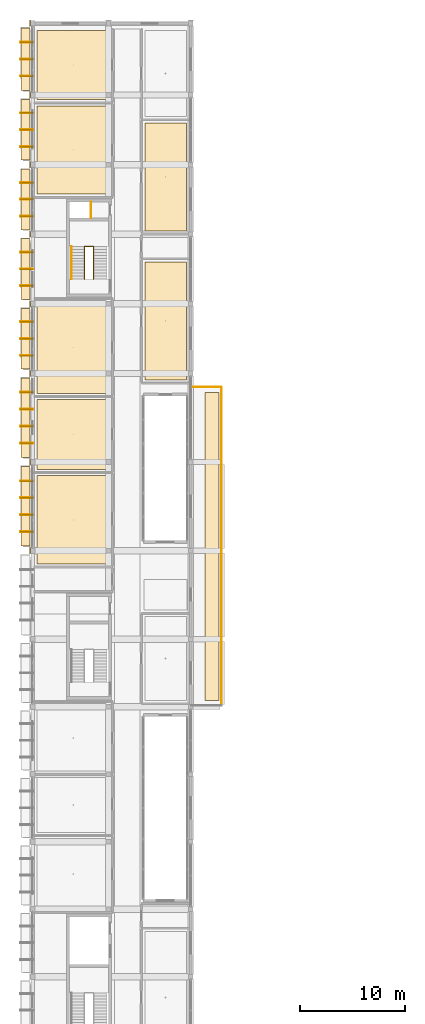
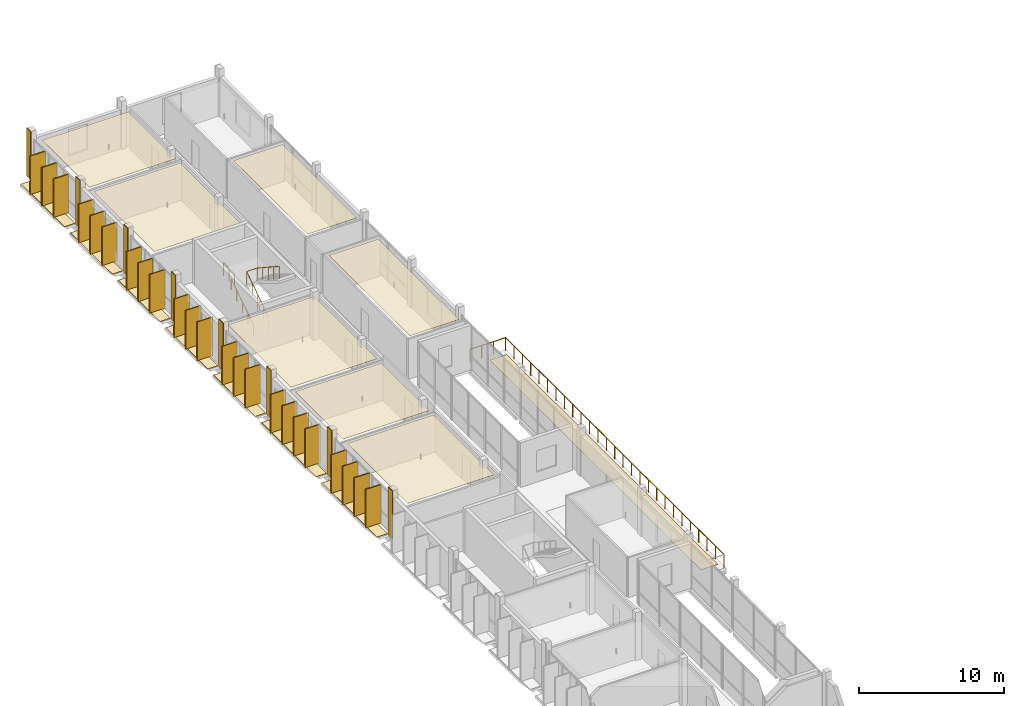
# One storey, part 43 of 48: 46 coverings, 23 shading devices, 5 railings.
"""IFC4 building model written with IfcOpenShell, lengths in metres."""

from ifc_helpers import new_model, si_unit, derived_unit, direction, frame, origin, origin_2d, place, context, subcontext, project, spatial, polyline, rectangle, circle, outline, extrude, material, layer, layer_set, type_object, element, save


model = new_model("IFC4")

# Units and contexts
model_context = context("Model", 3, precision=1e-05, world=origin(), true_north=direction((0.0, 1.0)))
body_context = subcontext(model_context, "Body", "Model", "MODEL_VIEW")
ifc_project = project(units=[si_unit("LENGTHUNIT", "METRE"), si_unit("AREAUNIT", "SQUARE_METRE"), si_unit("VOLUMEUNIT", "CUBIC_METRE"), si_unit("PLANEANGLEUNIT", "RADIAN"), si_unit("MASSUNIT", "GRAM", prefix="KILO"), derived_unit("THERMALTRANSMITTANCEUNIT", [(si_unit("POWERUNIT", "WATT"), 1), (si_unit("LENGTHUNIT", "METRE"), -2), (si_unit("THERMODYNAMICTEMPERATUREUNIT", "KELVIN"), -1)])], contexts=[model_context])

# Site, building, storey
site_placement = place(None, origin())
site = spatial("IfcSite", under=ifc_project, at=site_placement, CompositionType="ELEMENT")
building_placement = place(site_placement, origin())
building = spatial("IfcBuilding", under=site, at=building_placement, Name="Braskholm Square Health Centre", CompositionType="ELEMENT")
storey_placement = place(building_placement, frame((0.0, 0.0, 17.550048828125)))
storey = spatial("IfcBuildingStorey", under=building, at=storey_placement, Name="L05", CompositionType="ELEMENT", Elevation=17.550048828125)

# Coverings
ifc_material_1 = material(Name="Fire-rated gypsum board barrier")
ifc_layer_1 = layer(ifc_material_1, 0.02490234375)
ifc_layer_set_1 = layer_set([ifc_layer_1], Name="Fire-rated gypsum board barrier")
covering_type_1 = type_object("IfcCoveringType", Name="AcousticClinicalCeilingTile", PredefinedType="CEILING", material=ifc_layer_set_1)
covering_1_placement = place(storey_placement, frame((0.0, 0.0, 3.3349609375)))
element("IfcCovering", 1, at=covering_1_placement, inside=storey, type_object=covering_type_1, Name="Acoustic ceiling L05-127", PredefinedType="CEILING", context=body_context, shape_type="SweptSolid", body=[
    extrude(outline(polyline([(4.6201171875, 62.550048828125), (11.5, 62.550048828125), (11.5, 70.89990234375), (4.6201171875, 70.89990234375), (4.6201171875, 62.550048828125)])), origin(), (0.0, 0.0, 1.0), 0.02490234375),
])
covering_2_placement = place(storey_placement, frame((0.0, 0.0, 3.3349609375)))
element("IfcCovering", 2, at=covering_2_placement, inside=storey, type_object=covering_type_1, Name="Acoustic ceiling L05-128", PredefinedType="CEILING", context=body_context, shape_type="SweptSolid", body=[
    extrude(outline(polyline([(4.6201171875, 71.5), (11.5, 71.5), (11.5, 78.110107421875), (4.6201171875, 78.110107421875), (4.6201171875, 71.5)])), origin(), (0.0, 0.0, 1.0), 0.02490234375),
])
covering_3_placement = place(storey_placement, frame((0.0, 0.0, 3.3349609375)))
element("IfcCovering", 3, at=covering_3_placement, inside=storey, type_object=covering_type_1, Name="Acoustic ceiling L05-129", PredefinedType="CEILING", context=body_context, shape_type="SweptSolid", body=[
    extrude(outline(polyline([(4.6201171875, 78.7099609375), (11.5, 78.7099609375), (11.5, 87.39990234375), (4.6201171875, 87.39990234375), (4.6201171875, 78.7099609375)])), origin(), (0.0, 0.0, 1.0), 0.02490234375),
])
covering_4_placement = place(storey_placement, frame((0.0, 0.0, 3.3349609375)))
element("IfcCovering", 4, at=covering_4_placement, inside=storey, type_object=covering_type_1, Name="Acoustic ceiling L05-130", PredefinedType="CEILING", context=body_context, shape_type="SweptSolid", body=[
    extrude(outline(polyline([(4.6201171875, 97.60009765625), (11.5, 97.60009765625), (11.5, 105.9599609375), (4.6201171875, 105.9599609375), (4.6201171875, 97.60009765625)])), origin(), (0.0, 0.0, 1.0), 0.02490234375),
])
covering_5_placement = place(storey_placement, frame((0.0, 0.0, 3.3349609375)))
element("IfcCovering", 5, at=covering_5_placement, inside=storey, type_object=covering_type_1, Name="Acoustic ceiling L05-131", PredefinedType="CEILING", context=body_context, shape_type="SweptSolid", body=[
    extrude(outline(polyline([(4.6201171875, 106.56005859375), (11.5, 106.56005859375), (11.5, 113.10009765625), (4.6201171875, 113.10009765625), (4.6201171875, 106.56005859375)])), origin(), (0.0, 0.0, 1.0), 0.02490234375),
])
covering_6_placement = place(storey_placement, frame((0.0, 0.0, 3.3349609375)))
element("IfcCovering", 6, at=covering_6_placement, inside=storey, type_object=covering_type_1, Name="Acoustic ceiling L05-137", PredefinedType="CEILING", context=body_context, shape_type="SweptSolid", body=[
    extrude(outline(polyline([(14.85009765625, 79.97998046875), (18.780029296875, 79.97998046875), (18.780029296875, 91.169921875), (14.85009765625, 91.169921875), (14.85009765625, 79.97998046875)])), origin(), (0.0, 0.0, 1.0), 0.02490234375),
])
covering_7_placement = place(storey_placement, frame((0.0, 0.0, 3.3349609375)))
element("IfcCovering", 7, at=covering_7_placement, inside=storey, type_object=covering_type_1, Name="Acoustic ceiling L05-139", PredefinedType="CEILING", context=body_context, shape_type="SweptSolid", body=[
    extrude(outline(polyline([(14.85009765625, 94.1201171875), (18.780029296875, 94.1201171875), (18.780029296875, 104.360107421875), (14.85009765625, 104.360107421875), (14.85009765625, 94.1201171875)])), origin(), (0.0, 0.0, 1.0), 0.02490234375),
])

# Railings
ifc_material_2 = material(Name="Dark patinated chevron architectural bronze", Category="aluminium")
railing_type_1 = type_object("IfcRailingType", Name="BronzeChevronGuardrail1100", PredefinedType="GUARDRAIL", material=ifc_material_2)
railing_1_placement = place(storey_placement, frame((9.719970703125, 95.320068359375, 0.0)))
element("IfcRailing", 8, at=railing_1_placement, inside=storey, type_object=railing_type_1, Name="Core K3 riser shaft maintenance guard L05", PredefinedType="GUARDRAIL", context=body_context, shape_type="SweptSolid", body=[
    extrude(circle(Radius=0.02392578125, at=origin_2d()), frame((0.0, 0.0, 1.076171875), z_axis=(0.0, 1.0, 0.0), x_axis=(-1.0, 0.0, 0.0)), (0.0, 0.0, 1.0), 1.559814453125),
    extrude(circle(Radius=0.02099609375, at=origin_2d()), origin(), (0.0, 0.0, 1.0), 1.052001953125),
    extrude(circle(Radius=0.02099609375, at=origin_2d()), frame((0.0, 0.77978515625, 0.0)), (0.0, 0.0, 1.0), 1.052001953125),
    extrude(circle(Radius=0.02099609375, at=origin_2d()), frame((0.0, 1.559814453125, 0.0)), (0.0, 0.0, 1.0), 1.052001953125),
])
railing_2_placement = place(storey_placement, frame((9.1298828125, 89.56005859375, 0.0)))
element("IfcRailing", 9, at=railing_2_placement, inside=storey, type_object=railing_type_1, Name="Stair ST-03 inner well guardrail L05", PredefinedType="GUARDRAIL", context=body_context, shape_type="SweptSolid", body=[
    extrude(circle(Radius=0.02392578125, at=origin_2d()), frame((0.0, 0.0, 1.076171875), z_axis=(0.0, 0.83557951683, 0.54936952141), x_axis=(-1.0, 0.0, 0.0)), (0.0, 0.0, 1.0), 3.685791015625),
    extrude(circle(Radius=0.02392578125, at=origin_2d()), frame((0.0, 3.079833984375, 3.10107421875), z_axis=(1.0, 0.0, 0.0), x_axis=(0.0, 1.0, 0.0)), (0.0, 0.0, 1.0), 0.840087890625),
    extrude(circle(Radius=0.02392578125, at=origin_2d()), frame((0.840087890625, 3.079833984375, 3.10107421875), z_axis=(0.0, -0.835549111106, 0.549415765091), x_axis=(1.0, 0.0, 0.0)), (0.0, 0.0, 1.0), 3.68603515625),
    extrude(circle(Radius=0.02099609375, at=origin_2d()), origin(), (0.0, 0.0, 1.0), 1.052001953125),
    extrude(circle(Radius=0.02099609375, at=origin_2d()), frame((0.0, 0.77001953125, 0.50634765625)), (0.0, 0.0, 1.0), 1.052001953125),
    extrude(circle(Radius=0.02099609375, at=origin_2d()), frame((0.0, 1.5400390625, 1.012451171875)), (0.0, 0.0, 1.0), 1.052001953125),
    extrude(circle(Radius=0.02099609375, at=origin_2d()), frame((0.0, 2.309814453125, 1.5185546875)), (0.0, 0.0, 1.0), 1.052001953125),
    extrude(circle(Radius=0.02099609375, at=origin_2d()), frame((0.0, 3.079833984375, 2.02490234375)), (0.0, 0.0, 1.0), 1.052001953125),
    extrude(circle(Radius=0.02099609375, at=origin_2d()), frame((0.840087890625, 3.079833984375, 2.02490234375)), (0.0, 0.0, 1.0), 1.052001953125),
    extrude(circle(Radius=0.02099609375, at=origin_2d()), frame((0.840087890625, 2.309814453125, 2.53125)), (0.0, 0.0, 1.0), 1.052001953125),
    extrude(circle(Radius=0.02099609375, at=origin_2d()), frame((0.840087890625, 1.5400390625, 3.03759765625)), (0.0, 0.0, 1.0), 1.052001953125),
    extrude(circle(Radius=0.02099609375, at=origin_2d()), frame((0.840087890625, 0.77001953125, 3.543701171875)), (0.0, 0.0, 1.0), 1.052001953125),
    extrude(circle(Radius=0.02099609375, at=origin_2d()), frame((0.840087890625, 0.0, 4.050048828125)), (0.0, 0.0, 1.0), 1.052001953125),
])
railing_3_placement = place(storey_placement, frame((22.10009765625, 49.10009765625, 0.0)))
element("IfcRailing", 10, at=railing_3_placement, inside=storey, type_object=railing_type_1, Name="Bronze chevron guardrail 0048 L05", PredefinedType="GUARDRAIL", context=body_context, shape_type="SweptSolid", body=[
    extrude(circle(Radius=0.02392578125, at=origin_2d()), frame((0.0, 0.0, 1.076171875), z_axis=(0.0, 1.0, 0.0), x_axis=(-1.0, 0.0, 0.0)), (0.0, 0.0, 1.0), 30.199951171875),
    extrude(circle(Radius=0.02099609375, at=origin_2d()), origin(), (0.0, 0.0, 1.0), 1.052001953125),
    extrude(circle(Radius=0.02099609375, at=origin_2d()), frame((0.0, 1.16162109375, 0.0)), (0.0, 0.0, 1.0), 1.052001953125),
    extrude(circle(Radius=0.02099609375, at=origin_2d()), frame((0.0, 2.322998046875, 0.0)), (0.0, 0.0, 1.0), 1.052001953125),
    extrude(circle(Radius=0.02099609375, at=origin_2d()), frame((0.0, 3.484619140625, 0.0)), (0.0, 0.0, 1.0), 1.052001953125),
    extrude(circle(Radius=0.02099609375, at=origin_2d()), frame((0.0, 4.646240234375, 0.0)), (0.0, 0.0, 1.0), 1.052001953125),
    extrude(circle(Radius=0.02099609375, at=origin_2d()), frame((0.0, 5.8076171875, 0.0)), (0.0, 0.0, 1.0), 1.052001953125),
    extrude(circle(Radius=0.02099609375, at=origin_2d()), frame((0.0, 6.96923828125, 0.0)), (0.0, 0.0, 1.0), 1.052001953125),
    extrude(circle(Radius=0.02099609375, at=origin_2d()), frame((0.0, 8.130859375, 0.0)), (0.0, 0.0, 1.0), 1.052001953125),
    extrude(circle(Radius=0.02099609375, at=origin_2d()), frame((0.0, 9.292236328125, 0.0)), (0.0, 0.0, 1.0), 1.052001953125),
    extrude(circle(Radius=0.02099609375, at=origin_2d()), frame((0.0, 10.453857421875, 0.0)), (0.0, 0.0, 1.0), 1.052001953125),
    extrude(circle(Radius=0.02099609375, at=origin_2d()), frame((0.0, 11.615478515625, 0.0)), (0.0, 0.0, 1.0), 1.052001953125),
    extrude(circle(Radius=0.02099609375, at=origin_2d()), frame((0.0, 12.77685546875, 0.0)), (0.0, 0.0, 1.0), 1.052001953125),
    extrude(circle(Radius=0.02099609375, at=origin_2d()), frame((0.0, 13.9384765625, 0.0)), (0.0, 0.0, 1.0), 1.052001953125),
    extrude(circle(Radius=0.02099609375, at=origin_2d()), frame((0.0, 15.10009765625, 0.0)), (0.0, 0.0, 1.0), 1.052001953125),
    extrude(circle(Radius=0.02099609375, at=origin_2d()), frame((0.0, 16.261474609375, 0.0)), (0.0, 0.0, 1.0), 1.052001953125),
    extrude(circle(Radius=0.02099609375, at=origin_2d()), frame((0.0, 17.423095703125, 0.0)), (0.0, 0.0, 1.0), 1.052001953125),
    extrude(circle(Radius=0.02099609375, at=origin_2d()), frame((0.0, 18.58447265625, 0.0)), (0.0, 0.0, 1.0), 1.052001953125),
    extrude(circle(Radius=0.02099609375, at=origin_2d()), frame((0.0, 19.74609375, 0.0)), (0.0, 0.0, 1.0), 1.052001953125),
    extrude(circle(Radius=0.02099609375, at=origin_2d()), frame((0.0, 20.90771484375, 0.0)), (0.0, 0.0, 1.0), 1.052001953125),
    extrude(circle(Radius=0.02099609375, at=origin_2d()), frame((0.0, 22.069091796875, 0.0)), (0.0, 0.0, 1.0), 1.052001953125),
    extrude(circle(Radius=0.02099609375, at=origin_2d()), frame((0.0, 23.230712890625, 0.0)), (0.0, 0.0, 1.0), 1.052001953125),
    extrude(circle(Radius=0.02099609375, at=origin_2d()), frame((0.0, 24.392333984375, 0.0)), (0.0, 0.0, 1.0), 1.052001953125),
    extrude(circle(Radius=0.02099609375, at=origin_2d()), frame((0.0, 25.5537109375, 0.0)), (0.0, 0.0, 1.0), 1.052001953125),
    extrude(circle(Radius=0.02099609375, at=origin_2d()), frame((0.0, 26.71533203125, 0.0)), (0.0, 0.0, 1.0), 1.052001953125),
    extrude(circle(Radius=0.02099609375, at=origin_2d()), frame((0.0, 27.876953125, 0.0)), (0.0, 0.0, 1.0), 1.052001953125),
    extrude(circle(Radius=0.02099609375, at=origin_2d()), frame((0.0, 29.038330078125, 0.0)), (0.0, 0.0, 1.0), 1.052001953125),
    extrude(circle(Radius=0.02099609375, at=origin_2d()), frame((0.0, 30.199951171875, 0.0)), (0.0, 0.0, 1.0), 1.052001953125),
])
railing_4_placement = place(storey_placement, frame((22.10009765625, 79.300048828125, 0.0)))
element("IfcRailing", 11, at=railing_4_placement, inside=storey, type_object=railing_type_1, Name="Bronze chevron guardrail 0049 L05", PredefinedType="GUARDRAIL", context=body_context, shape_type="SweptSolid", body=[
    extrude(circle(Radius=0.02392578125, at=origin_2d()), frame((0.0, 0.0, 1.076171875), z_axis=(-1.0, 0.0, 0.0), x_axis=(0.0, -1.0, 0.0)), (0.0, 0.0, 1.0), 2.85009765625),
    extrude(circle(Radius=0.02099609375, at=origin_2d()), origin(), (0.0, 0.0, 1.0), 1.052001953125),
    extrude(circle(Radius=0.02099609375, at=origin_2d()), frame((-0.949951171875, 0.0, 0.0)), (0.0, 0.0, 1.0), 1.052001953125),
    extrude(circle(Radius=0.02099609375, at=origin_2d()), frame((-1.900146484375, 0.0, 0.0)), (0.0, 0.0, 1.0), 1.052001953125),
    extrude(circle(Radius=0.02099609375, at=origin_2d()), frame((-2.85009765625, 0.0, 0.0)), (0.0, 0.0, 1.0), 1.052001953125),
])

# Shading devices
ifc_material_3 = material(Name="Thermally modified western red cedar with bronze trim", Category="wood")
shading_device_type = type_object("IfcShadingDeviceType", Name="CedarBronzeShadingFin1250", PredefinedType="USERDEFINED", material=ifc_material_3)
for number, where, z_axis, x_axis, name in (
    (12, (3.635009765625, 65.60009765625, 0.0), (0.0, 0.0, 1.0), (1.0, 0.0, 0.0), "Warm cedar-bronze vertical shading slat 0182"),
    (13, (3.635009765625, 67.199951171875, 0.0), (0.0, 0.0, 1.0), (1.0, 0.0, 0.0), "Warm cedar-bronze vertical shading slat 0183"),
    (14, (3.635009765625, 68.800048828125, 0.0), (0.0, 0.0, 1.0), (1.0, 0.0, 0.0), "Warm cedar-bronze vertical shading slat 0184"),
    (15, (3.635009765625, 70.39990234375, 0.0), (0.0, 0.0, 1.0), (1.0, 0.0, 0.0), "Warm cedar-bronze vertical shading slat 0185"),
    (16, (3.635009765625, 74.0, 0.0), (0.0, 0.0, 1.0), (1.0, 0.0, 0.0), "Warm cedar-bronze vertical shading slat 0186"),
    (17, (3.635009765625, 75.60009765625, 0.0), (0.0, 0.0, 1.0), (1.0, 0.0, 0.0), "Warm cedar-bronze vertical shading slat 0187"),
    (18, (3.635009765625, 77.199951171875, 0.0), (0.0, 0.0, 1.0), (1.0, 0.0, 0.0), "Warm cedar-bronze vertical shading slat 0188"),
    (19, (3.635009765625, 78.800048828125, 0.0), (0.0, 0.0, 1.0), (1.0, 0.0, 0.0), "Warm cedar-bronze vertical shading slat 0189"),
    (20, (3.635009765625, 82.300048828125, 0.0), (0.0, 0.0, 1.0), (1.0, 0.0, 0.0), "Warm cedar-bronze vertical shading slat 0190"),
    (21, (3.635009765625, 83.89990234375, 0.0), (0.0, 0.0, 1.0), (1.0, 0.0, 0.0), "Warm cedar-bronze vertical shading slat 0191"),
    (22, (3.635009765625, 85.5, 0.0), (0.0, 0.0, 1.0), (1.0, 0.0, 0.0), "Warm cedar-bronze vertical shading slat 0192"),
    (23, (3.635009765625, 88.89990234375, 0.0), (0.0, 0.0, 1.0), (1.0, 0.0, 0.0), "Warm cedar-bronze vertical shading slat 0193"),
    (24, (3.635009765625, 90.5, 0.0), (0.0, 0.0, 1.0), (1.0, 0.0, 0.0), "Warm cedar-bronze vertical shading slat 0194"),
    (25, (3.635009765625, 92.10009765625, 0.0), (0.0, 0.0, 1.0), (1.0, 0.0, 0.0), "Warm cedar-bronze vertical shading slat 0195"),
    (26, (3.635009765625, 95.5, 0.0), (0.0, 0.0, 1.0), (1.0, 0.0, 0.0), "Warm cedar-bronze vertical shading slat 0196"),
    (27, (3.635009765625, 97.10009765625, 0.0), (0.0, 0.0, 1.0), (1.0, 0.0, 0.0), "Warm cedar-bronze vertical shading slat 0197"),
    (28, (3.635009765625, 98.699951171875, 0.0), (0.0, 0.0, 1.0), (1.0, 0.0, 0.0), "Warm cedar-bronze vertical shading slat 0198"),
    (29, (3.635009765625, 102.10009765625, 0.0), (0.0, 0.0, 1.0), (1.0, 0.0, 0.0), "Warm cedar-bronze vertical shading slat 0199"),
    (30, (3.635009765625, 103.699951171875, 0.0), (0.0, 0.0, 1.0), (1.0, 0.0, 0.0), "Warm cedar-bronze vertical shading slat 0200"),
    (31, (3.635009765625, 105.300048828125, 0.0), (0.0, 0.0, 1.0), (1.0, 0.0, 0.0), "Warm cedar-bronze vertical shading slat 0201"),
    (32, (3.635009765625, 108.800048828125, 0.0), (0.0, 0.0, 1.0), (1.0, 0.0, 0.0), "Warm cedar-bronze vertical shading slat 0202"),
    (33, (3.635009765625, 110.39990234375, 0.0), (0.0, 0.0, 1.0), (1.0, 0.0, 0.0), "Warm cedar-bronze vertical shading slat 0203"),
    (34, (3.635009765625, 112.0, 0.0), (0.0, 0.0, 1.0), (1.0, 0.0, 0.0), "Warm cedar-bronze vertical shading slat 0204"),
):
    element("IfcShadingDevice", number, at=place(storey_placement, frame(where, z_axis=z_axis, x_axis=x_axis)), inside=storey, type_object=shading_device_type, Name=name, ObjectType="FIN", PredefinedType="USERDEFINED", context=body_context, shape_type="SweptSolid", body=[
        extrude(rectangle(XDim=1.25, YDim=0.0849609375, at=origin_2d()), origin(), (0.0, 0.0, 1.0), 3.27001953125),
    ])

# Coverings
ifc_layer_2 = layer(ifc_material_3, 0.0849609375)
ifc_layer_set_2 = layer_set([ifc_layer_2], Name="Thermally modified western red cedar with bronze trim")
covering_type_2 = type_object("IfcCoveringType", Name="CedarBronzeSlatCladding", PredefinedType="CLADDING", material=ifc_layer_set_2)
for number, where, z_axis, x_axis, name in (
    (35, (3.6298828125, 65.60009765625, 0.0), (0.0, 0.0, 1.0), (1.0, 0.0, 0.0), "Cedar-bronze shading slat trim 0634"),
    (36, (3.6298828125, 67.199951171875, 0.0), (0.0, 0.0, 1.0), (1.0, 0.0, 0.0), "Cedar-bronze shading slat trim 0635"),
    (37, (3.6298828125, 68.800048828125, 0.0), (0.0, 0.0, 1.0), (1.0, 0.0, 0.0), "Cedar-bronze shading slat trim 0636"),
    (38, (3.6298828125, 70.39990234375, 0.0), (0.0, 0.0, 1.0), (1.0, 0.0, 0.0), "Cedar-bronze shading slat trim 0637"),
    (39, (3.6298828125, 74.0, 0.0), (0.0, 0.0, 1.0), (1.0, 0.0, 0.0), "Cedar-bronze shading slat trim 0639"),
    (40, (3.6298828125, 75.60009765625, 0.0), (0.0, 0.0, 1.0), (1.0, 0.0, 0.0), "Cedar-bronze shading slat trim 0640"),
    (41, (3.6298828125, 77.199951171875, 0.0), (0.0, 0.0, 1.0), (1.0, 0.0, 0.0), "Cedar-bronze shading slat trim 0641"),
    (42, (3.6298828125, 78.800048828125, 0.0), (0.0, 0.0, 1.0), (1.0, 0.0, 0.0), "Cedar-bronze shading slat trim 0642"),
    (43, (3.6298828125, 82.300048828125, 0.0), (0.0, 0.0, 1.0), (1.0, 0.0, 0.0), "Cedar-bronze shading slat trim 0644"),
    (44, (3.6298828125, 83.89990234375, 0.0), (0.0, 0.0, 1.0), (1.0, 0.0, 0.0), "Cedar-bronze shading slat trim 0645"),
    (45, (3.6298828125, 85.5, 0.0), (0.0, 0.0, 1.0), (1.0, 0.0, 0.0), "Cedar-bronze shading slat trim 0646"),
    (46, (3.6298828125, 88.89990234375, 0.0), (0.0, 0.0, 1.0), (1.0, 0.0, 0.0), "Cedar-bronze shading slat trim 0648"),
    (47, (3.6298828125, 90.5, 0.0), (0.0, 0.0, 1.0), (1.0, 0.0, 0.0), "Cedar-bronze shading slat trim 0649"),
    (48, (3.6298828125, 92.10009765625, 0.0), (0.0, 0.0, 1.0), (1.0, 0.0, 0.0), "Cedar-bronze shading slat trim 0650"),
    (49, (3.6298828125, 95.5, 0.0), (0.0, 0.0, 1.0), (1.0, 0.0, 0.0), "Cedar-bronze shading slat trim 0652"),
    (50, (3.6298828125, 97.10009765625, 0.0), (0.0, 0.0, 1.0), (1.0, 0.0, 0.0), "Cedar-bronze shading slat trim 0653"),
    (51, (3.6298828125, 98.699951171875, 0.0), (0.0, 0.0, 1.0), (1.0, 0.0, 0.0), "Cedar-bronze shading slat trim 0654"),
    (52, (3.6298828125, 102.10009765625, 0.0), (0.0, 0.0, 1.0), (1.0, 0.0, 0.0), "Cedar-bronze shading slat trim 0656"),
    (53, (3.6298828125, 103.699951171875, 0.0), (0.0, 0.0, 1.0), (1.0, 0.0, 0.0), "Cedar-bronze shading slat trim 0657"),
    (54, (3.6298828125, 105.300048828125, 0.0), (0.0, 0.0, 1.0), (1.0, 0.0, 0.0), "Cedar-bronze shading slat trim 0658"),
    (55, (3.6298828125, 108.800048828125, 0.0), (0.0, 0.0, 1.0), (1.0, 0.0, 0.0), "Cedar-bronze shading slat trim 0660"),
    (56, (3.6298828125, 110.39990234375, 0.0), (0.0, 0.0, 1.0), (1.0, 0.0, 0.0), "Cedar-bronze shading slat trim 0661"),
    (57, (3.6298828125, 112.0, 0.0), (0.0, 0.0, 1.0), (1.0, 0.0, 0.0), "Cedar-bronze shading slat trim 0662"),
):
    element("IfcCovering", number, at=place(storey_placement, frame(where, z_axis=z_axis, x_axis=x_axis)), inside=storey, type_object=covering_type_2, Name=name, PredefinedType="CLADDING", context=body_context, shape_type="SweptSolid", body=[
        extrude(rectangle(XDim=1.179931640625, YDim=0.094970703125, at=origin_2d()), origin(), (0.0, 0.0, 1.0), 3.27001953125),
    ])
ifc_material_4 = material(Name="Intensive botanical sedum and native prairie garden bed")
ifc_layer_3 = layer(ifc_material_4, 0.02490234375)
ifc_layer_set_3 = layer_set([ifc_layer_3], Name="Intensive botanical sedum and native prairie garden bed")
covering_type_3 = type_object("IfcCoveringType", Name="PlantedTerraceGardenBed", PredefinedType="ROOFING", material=ifc_layer_set_3)
covering_8_placement = place(storey_placement, origin())
element("IfcCovering", 58, at=covering_8_placement, inside=storey, type_object=covering_type_3, Name="West floor planter ledge sedum strip 0638", PredefinedType="ROOFING", context=body_context, shape_type="SweptSolid", body=[
    extrude(outline(polyline([(3.1201171875, 64.219970703125), (3.949951171875, 64.219970703125), (3.949951171875, 71.780029296875), (3.1201171875, 71.780029296875), (3.1201171875, 64.219970703125)])), origin(), (0.0, 0.0, 1.0), 0.02490234375),
])
covering_9_placement = place(storey_placement, origin())
element("IfcCovering", 59, at=covering_9_placement, inside=storey, type_object=covering_type_3, Name="West floor planter ledge sedum strip 0643", PredefinedType="ROOFING", context=body_context, shape_type="SweptSolid", body=[
    extrude(outline(polyline([(3.1201171875, 72.6201171875), (3.949951171875, 72.6201171875), (3.949951171875, 80.179931640625), (3.1201171875, 80.179931640625), (3.1201171875, 72.6201171875)])), origin(), (0.0, 0.0, 1.0), 0.02490234375),
])
covering_10_placement = place(storey_placement, origin())
element("IfcCovering", 60, at=covering_10_placement, inside=storey, type_object=covering_type_3, Name="West floor planter ledge sedum strip 0647", PredefinedType="ROOFING", context=body_context, shape_type="SweptSolid", body=[
    extrude(outline(polyline([(3.1201171875, 81.02001953125), (3.949951171875, 81.02001953125), (3.949951171875, 86.780029296875), (3.1201171875, 86.780029296875), (3.1201171875, 81.02001953125)])), origin(), (0.0, 0.0, 1.0), 0.02490234375),
])
covering_11_placement = place(storey_placement, origin())
element("IfcCovering", 61, at=covering_11_placement, inside=storey, type_object=covering_type_3, Name="West floor planter ledge sedum strip 0651", PredefinedType="ROOFING", context=body_context, shape_type="SweptSolid", body=[
    extrude(outline(polyline([(3.1201171875, 87.6201171875), (3.949951171875, 87.6201171875), (3.949951171875, 93.3798828125), (3.1201171875, 93.3798828125), (3.1201171875, 87.6201171875)])), origin(), (0.0, 0.0, 1.0), 0.02490234375),
])
covering_12_placement = place(storey_placement, origin())
element("IfcCovering", 62, at=covering_12_placement, inside=storey, type_object=covering_type_3, Name="West floor planter ledge sedum strip 0655", PredefinedType="ROOFING", context=body_context, shape_type="SweptSolid", body=[
    extrude(outline(polyline([(3.1201171875, 94.219970703125), (3.949951171875, 94.219970703125), (3.949951171875, 99.97998046875), (3.1201171875, 99.97998046875), (3.1201171875, 94.219970703125)])), origin(), (0.0, 0.0, 1.0), 0.02490234375),
])
covering_13_placement = place(storey_placement, origin())
element("IfcCovering", 63, at=covering_13_placement, inside=storey, type_object=covering_type_3, Name="West floor planter ledge sedum strip 0659", PredefinedType="ROOFING", context=body_context, shape_type="SweptSolid", body=[
    extrude(outline(polyline([(3.1201171875, 100.820068359375), (3.949951171875, 100.820068359375), (3.949951171875, 106.580078125), (3.1201171875, 106.580078125), (3.1201171875, 100.820068359375)])), origin(), (0.0, 0.0, 1.0), 0.02490234375),
])
covering_14_placement = place(storey_placement, origin())
element("IfcCovering", 64, at=covering_14_placement, inside=storey, type_object=covering_type_3, Name="West floor planter ledge sedum strip 0663", PredefinedType="ROOFING", context=body_context, shape_type="SweptSolid", body=[
    extrude(outline(polyline([(3.1201171875, 107.419921875), (3.949951171875, 107.419921875), (3.949951171875, 113.3798828125), (3.1201171875, 113.3798828125), (3.1201171875, 107.419921875)])), origin(), (0.0, 0.0, 1.0), 0.02490234375),
])
covering_15_placement = place(storey_placement, origin())
element("IfcCovering", 65, at=covering_15_placement, inside=storey, type_object=covering_type_3, Name="Planted therapy terrace garden bed 0918", PredefinedType="ROOFING", context=body_context, shape_type="SweptSolid", body=[
    extrude(outline(polyline([(20.550048828125, 49.60009765625), (21.89990234375, 49.60009765625), (21.89990234375, 78.800048828125), (20.550048828125, 78.800048828125), (20.550048828125, 49.60009765625)])), origin(), (0.0, 0.0, 1.0), 0.02490234375),
])
ifc_material_5 = material(Name="Precast concrete C40/50 architectural white", Category="concrete")
ifc_layer_4 = layer(ifc_material_5, 0.054931640625)
ifc_layer_set_4 = layer_set([ifc_layer_4], Name="Precast concrete C40/50 architectural white")
covering_type_4 = type_object("IfcCoveringType", Name="PrecastWhiteColumnCasing", PredefinedType="CLADDING", material=ifc_layer_set_4)
for number, where, z_axis, x_axis, name in (
    (66, (3.965087890625, 63.800048828125, 0.0), (0.0, 0.0, 1.0), (1.0, 0.0, 0.0), "Giant-order white precast column casing 0086"),
    (67, (3.965087890625, 72.199951171875, 0.0), (0.0, 0.0, 1.0), (1.0, 0.0, 0.0), "Giant-order white precast column casing 0095"),
    (68, (3.965087890625, 80.60009765625, 0.0), (0.0, 0.0, 1.0), (1.0, 0.0, 0.0), "Giant-order white precast column casing 0104"),
    (69, (3.965087890625, 87.199951171875, 0.0), (0.0, 0.0, 1.0), (1.0, 0.0, 0.0), "Giant-order white precast column casing 0113"),
    (70, (3.965087890625, 93.800048828125, 0.0), (0.0, 0.0, 1.0), (1.0, 0.0, 0.0), "Giant-order white precast column casing 0122"),
    (71, (3.965087890625, 100.39990234375, 0.0), (0.0, 0.0, 1.0), (1.0, 0.0, 0.0), "Giant-order white precast column casing 0131"),
    (72, (3.965087890625, 107.0, 0.0), (0.0, 0.0, 1.0), (1.0, 0.0, 0.0), "Giant-order white precast column casing 0140"),
    (73, (3.965087890625, 113.800048828125, 0.0), (0.0, 0.0, 1.0), (1.0, 0.0, 0.0), "Giant-order white precast column casing 0149"),
):
    element("IfcCovering", number, at=place(storey_placement, frame(where, z_axis=z_axis, x_axis=x_axis)), inside=storey, type_object=covering_type_4, Name=name, PredefinedType="CLADDING", context=body_context, shape_type="SweptSolid", body=[
        extrude(rectangle(XDim=0.06005859375, YDim=0.60009765625, at=origin_2d()), origin(), (0.0, 0.0, 1.0), 4.050048828125),
    ])

# Railing
railing_type_2 = type_object("IfcRailingType", Name="StairTubularHandrail915", PredefinedType="HANDRAIL", material=ifc_material_2)
railing_5_placement = place(storey_placement, frame((7.89990234375, 89.56005859375, 0.0)))
element("IfcRailing", 74, at=railing_5_placement, inside=storey, type_object=railing_type_2, Name="Stair ST-03 wall handrail F1 L05", PredefinedType="HANDRAIL", context=body_context, shape_type="SweptSolid", body=[
    extrude(circle(Radius=0.02392578125, at=origin_2d()), frame((0.0, 0.0, 0.89111328125), z_axis=(0.0, 0.83557951683, 0.54936952141), x_axis=(-1.0, 0.0, 0.0)), (0.0, 0.0, 1.0), 3.685791015625),
    extrude(circle(Radius=0.02099609375, at=origin_2d()), origin(), (0.0, 0.0, 1.0), 0.866943359375),
    extrude(circle(Radius=0.02099609375, at=origin_2d()), frame((0.0, 0.77001953125, 0.50634765625)), (0.0, 0.0, 1.0), 0.866943359375),
    extrude(circle(Radius=0.02099609375, at=origin_2d()), frame((0.0, 1.5400390625, 1.012451171875)), (0.0, 0.0, 1.0), 0.866943359375),
    extrude(circle(Radius=0.02099609375, at=origin_2d()), frame((0.0, 2.309814453125, 1.5185546875)), (0.0, 0.0, 1.0), 0.866943359375),
    extrude(circle(Radius=0.02099609375, at=origin_2d()), frame((0.0, 3.079833984375, 2.02490234375)), (0.0, 0.0, 1.0), 0.866943359375),
])

save(model, "model.ifc")
